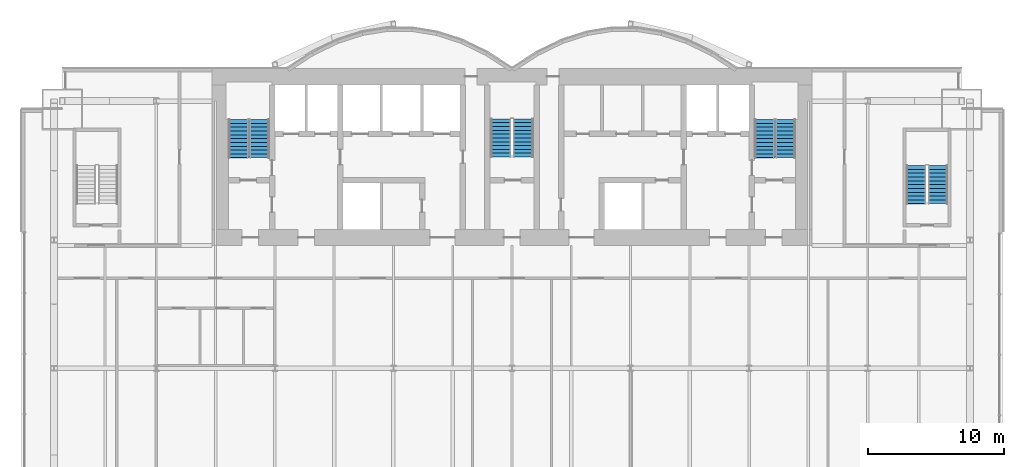
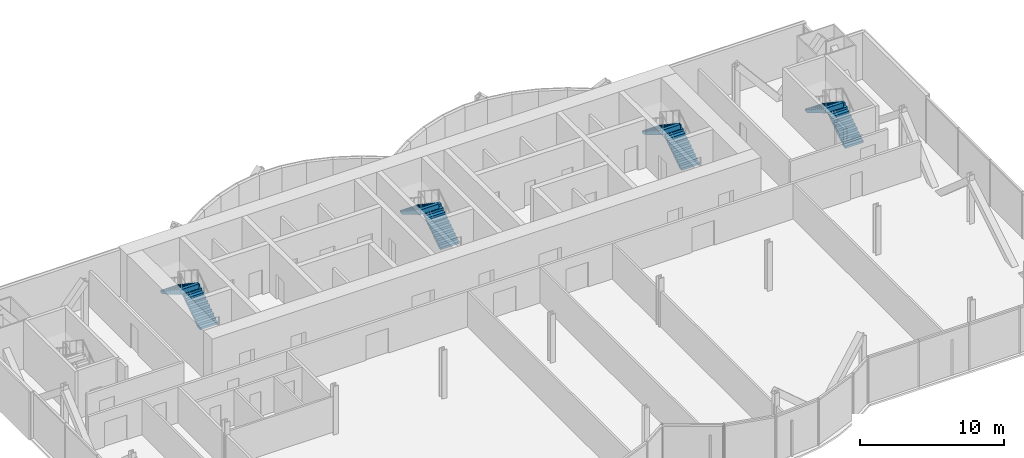
# One storey, part 18 of 21: 8 stair flights, 4 elements without a shape of their own.
"""IFC4 building model written with IfcOpenShell, lengths in metres."""

import ifcopenshell
import ifcopenshell.guid

model = None  # the IFC model being written
_history = None  # IfcOwnerHistory: only IFC2X3 demands one
_inside = {}  # id of a spatial element -> (the spatial element, [elements in it])
_under = {}  # id of a project, library or spatial element -> (it, [spatial elements below it])
_declared = {}  # id of a project -> (the project, [libraries it declares])
_typed = {}  # id of a type object -> (the type object, [elements of that type])
_made_of = {}  # id of a material, layer set ... -> (it, [elements and type objects made of it])


def new_model(schema):
    """Start an empty IFC model of exactly this schema.

    Asked for "IFC4X3", IfcOpenShell would pick the latest addendum, in which some entities
    have other attributes; the version numbers below select the first issue.
    IFC2X3 requires an IfcOwnerHistory on every rooted entity: one is made here for all.
    """
    global model, _history
    if schema == "IFC4X3":
        model = ifcopenshell.file(schema_version=(4, 3, 0, 0))
    else:
        model = ifcopenshell.file(schema=schema)
    _inside.clear()
    _under.clear()
    _declared.clear()
    _typed.clear()
    _made_of.clear()
    _history = None
    if model.schema == "IFC2X3":
        org = make("IfcOrganization", Name="unknown")
        user = make(
            "IfcPersonAndOrganization",
            ThePerson=make("IfcPerson", FamilyName="unknown"),
            TheOrganization=org,
        )
        app = make(
            "IfcApplication",
            ApplicationDeveloper=org,
            Version="unknown",
            ApplicationFullName="unknown",
            ApplicationIdentifier="unknown",
        )
        _history = make(
            "IfcOwnerHistory",
            OwningUser=user,
            OwningApplication=app,
            ChangeAction="ADDED",
            CreationDate=0,
        )
    return model


def make(cls, **values):
    """One entity of the class cls with the attributes given. An attribute that is None is left unset."""
    return model.create_entity(
        cls, **{name: value for name, value in values.items() if value is not None}
    )


def rooted(cls, **values):
    """An entity with a GlobalId (a new one), such as an element, a storey or a relation."""
    return make(cls, GlobalId=ifcopenshell.guid.new(), OwnerHistory=_history, **values)


def si_unit(unit_type, name, prefix=None):
    """IfcSIUnit, for example si_unit("LENGTHUNIT", "METRE", prefix="MILLI")."""
    return make("IfcSIUnit", UnitType=unit_type, Prefix=prefix, Name=name)


def assignment(units):
    """IfcUnitAssignment: the units of a project."""
    return None if units is None else make("IfcUnitAssignment", Units=units)


def point(xyz):
    """IfcCartesianPoint."""
    return None if xyz is None else make("IfcCartesianPoint", Coordinates=xyz)


def direction(xyz):
    """IfcDirection."""
    return None if xyz is None else make("IfcDirection", DirectionRatios=xyz)


def frame(location, z_axis=None, x_axis=None):
    """IfcAxis2Placement3D, a coordinate frame: its origin and axes. An axis left out is left unset."""
    return make(
        "IfcAxis2Placement3D",
        Location=point(location),
        Axis=direction(z_axis),
        RefDirection=direction(x_axis),
    )


def origin():
    """The frame at (0, 0, 0) with its axes left unset."""
    return frame((0.0, 0.0, 0.0))


def place(relative_to, where):
    """IfcLocalPlacement: puts the frame where relative to a parent placement (None: the world)."""
    return make(
        "IfcLocalPlacement", PlacementRelTo=relative_to, RelativePlacement=where
    )


def context(
    kind, dimensions, precision=None, world=None, true_north=None, identifier=None
):
    """IfcGeometricRepresentationContext, for example the 3D "Model" context."""
    return make(
        "IfcGeometricRepresentationContext",
        ContextIdentifier=identifier,
        ContextType=kind,
        CoordinateSpaceDimension=dimensions,
        Precision=precision,
        WorldCoordinateSystem=world,
        TrueNorth=true_north,
    )


def subcontext(parent, identifier, kind, view, scale=None):
    """IfcGeometricRepresentationSubContext, for example "Body" below "Model"."""
    return make(
        "IfcGeometricRepresentationSubContext",
        ContextIdentifier=identifier,
        ContextType=kind,
        ParentContext=parent,
        TargetScale=scale,
        TargetView=view,
    )


def project(units=None, contexts=None):
    """IfcProject with its units and contexts."""
    return rooted(
        "IfcProject",
        Name="project",
        RepresentationContexts=contexts,
        UnitsInContext=assignment(units),
    )


def spatial(cls, under=None, at=None, **own):
    """A site, building, storey or space (cls), placed at a placement, below another one or the project."""
    s = rooted(cls, ObjectPlacement=at, **own)
    if under is not None:
        _under.setdefault(under.id(), (under, []))[1].append(s)
    return s


def polyline(points):
    """IfcPolyline through the points."""
    return make("IfcPolyline", Points=[point(p) for p in points])


def outline(outer, holes=None, kind="AREA"):
    """IfcArbitraryClosedProfileDef: a profile drawn as a closed curve; with holes, ...WithVoids."""
    if holes is None:
        return make("IfcArbitraryClosedProfileDef", ProfileType=kind, OuterCurve=outer)
    return make(
        "IfcArbitraryProfileDefWithVoids",
        ProfileType=kind,
        OuterCurve=outer,
        InnerCurves=holes,
    )


def extrude(swept, where, along, depth):
    """IfcExtrudedAreaSolid: the profile swept, set in the frame where, extruded along a direction by depth."""
    return make(
        "IfcExtrudedAreaSolid",
        SweptArea=swept,
        Position=where,
        ExtrudedDirection=direction(along),
        Depth=depth,
    )


def shape(context_of_items, identifier, shape_type, items):
    """IfcShapeRepresentation: the items that make up one representation, for example the "Body"."""
    return make(
        "IfcShapeRepresentation",
        ContextOfItems=context_of_items,
        RepresentationIdentifier=identifier,
        RepresentationType=shape_type,
        Items=items,
    )


def material(Name=None, Category=None):
    """IfcMaterial."""
    return make("IfcMaterial", Name=Name, Category=Category)


def made_of(thing, what):
    """Note that an element or type object is made of a material, layer set ...; save() writes the relation."""
    if what is not None:
        _made_of.setdefault(what.id(), (what, []))[1].append(thing)
    return thing


def type_object(cls, material=None, **own):
    """A type object (cls), such as IfcWallType, which elements share."""
    return made_of(rooted(cls, **own), material)


def element(
    cls,
    number,
    at=None,
    inside=None,
    cuts=None,
    type_object=None,
    material=None,
    context=None,
    identifier="Body",
    shape_type=None,
    held_by="IfcProductDefinitionShape",
    body=None,
    shapes=None,
    **own,
):
    """One element of the class cls, such as IfcWall. Its Tag is "e" and its number.

    at: its placement. inside: the storey or other place that contains it. cuts: it is an
    opening in that element (IfcRelVoidsElement). A single representation is given by context,
    identifier, shape_type and body (its items); several are given by shapes. held_by: the class
    of the entity that holds the representations. save() writes the other relations.
    """
    e = rooted(cls, Tag="e%d" % number, ObjectPlacement=at, **own)
    if body is not None:
        shapes = [shape(context, identifier, shape_type, body)]
    if shapes is not None:
        e.Representation = make(held_by, Representations=shapes)
    if inside is not None:
        _inside.setdefault(inside.id(), (inside, []))[1].append(e)
    if cuts is not None:
        rooted(
            "IfcRelVoidsElement", RelatingBuildingElement=cuts, RelatedOpeningElement=e
        )
    if type_object is not None:
        _typed.setdefault(type_object.id(), (type_object, []))[1].append(e)
    return made_of(e, material)


def aggregate(whole, parts):
    """IfcRelAggregates: a whole, such as a stair, and the parts it consists of."""
    return rooted("IfcRelAggregates", RelatingObject=whole, RelatedObjects=parts)


def save(model, path):
    """Write the relations noted so far, then the file.

    IfcRelAggregates (storeys below a building ...), IfcRelContainedInSpatialStructure (elements
    in a storey), IfcRelDefinesByType, IfcRelAssociatesMaterial and IfcRelDeclares: one each for
    every whole, place, type object, material and project.
    """
    for whole, parts in _under.values():
        aggregate(whole, parts)
    for where, things in _inside.values():
        rooted(
            "IfcRelContainedInSpatialStructure",
            RelatedElements=things,
            RelatingStructure=where,
        )
    for kind, things in _typed.values():
        rooted("IfcRelDefinesByType", RelatedObjects=things, RelatingType=kind)
    for what, things in _made_of.values():
        rooted("IfcRelAssociatesMaterial", RelatedObjects=things, RelatingMaterial=what)
    for by, libraries in _declared.values():
        rooted("IfcRelDeclares", RelatingContext=by, RelatedDefinitions=libraries)
    model.write(path)


model = new_model("IFC4")

# Units and contexts
model_context = context("Model", 3, precision=1e-05, world=origin(), true_north=direction((0.0, 1.0)))
body_context = subcontext(model_context, "Body", "Model", "MODEL_VIEW")
ifc_project = project(units=[si_unit("LENGTHUNIT", "METRE"), si_unit("AREAUNIT", "SQUARE_METRE"), si_unit("VOLUMEUNIT", "CUBIC_METRE"), si_unit("PLANEANGLEUNIT", "RADIAN"), si_unit("MASSUNIT", "GRAM", prefix="KILO")], contexts=[model_context])

# Site, building, storey
site_placement = place(None, origin())
site = spatial("IfcSite", under=ifc_project, at=site_placement, CompositionType="ELEMENT")
building_placement = place(site_placement, origin())
building = spatial("IfcBuilding", under=site, at=building_placement, Name="Bicima Exchange Tower", CompositionType="ELEMENT")
storey_placement = place(building_placement, frame((0.0, 0.0, 114.5)))
storey = spatial("IfcBuildingStorey", under=building, at=storey_placement, Name="L24", CompositionType="ELEMENT", Elevation=114.5)

# Stair, stair flights
ifc_material = material(Name="Concrete C50/60", Category="concrete")
stair_type_1 = type_object("IfcStairType", Name="Exit stair", PredefinedType="HALF_TURN_STAIR", material=ifc_material)
stair_1_placement = place(storey_placement, origin())
stair_1 = element("IfcStair", 1, at=stair_1_placement, inside=storey, type_object=stair_type_1, Name="L24 West exit stair", PredefinedType="HALF_TURN_STAIR")
stair_flight_type_1 = type_object("IfcStairFlightType", Name="Stair flight RC", PredefinedType="STRAIGHT", material=ifc_material)
stair_flight_1_placement = place(storey_placement, frame((-18.52490234375, -6.550048828125, 0.0), z_axis=(0.0, 0.0, 1.0), x_axis=(0.0, 1.0, 0.0)))
stair_flight_1 = element("IfcStairFlight", 2, at=stair_flight_1_placement, type_object=stair_flight_type_1, Name="ST-W flight 1", NumberOfRisers=11, NumberOfTreads=10, PredefinedType="STRAIGHT", RiserHeight=0.186363636, TreadLength=0.28, context=body_context, shape_type="SweptSolid", body=[
    extrude(outline(polyline([(0.0, 0.0), (0.0, 0.186279296875), (0.280029296875, 0.186279296875), (0.280029296875, 0.372802734375), (0.56005859375, 0.372802734375), (0.56005859375, 0.55908203125), (0.840087890625, 0.55908203125), (0.840087890625, 0.745361328125), (1.1201171875, 0.745361328125), (1.1201171875, 0.931884765625), (1.39990234375, 0.931884765625), (1.39990234375, 1.1181640625), (1.679931640625, 1.1181640625), (1.679931640625, 1.304443359375), (1.9599609375, 1.304443359375), (1.9599609375, 1.490966796875), (2.239990234375, 1.490966796875), (2.239990234375, 1.67724609375), (2.52001953125, 1.67724609375), (2.52001953125, 1.863525390625), (2.800048828125, 1.863525390625), (2.800048828125, 2.050048828125), (2.800048828125, 1.68359375), (0.2705078125, 0.0), (0.0, 0.0)])), frame((0.0, 0.72509765625, 0.0), z_axis=(0.0, -1.0, 0.0), x_axis=(1.0, 0.0, 0.0)), (0.0, 0.0, 1.0), 1.449951171875),
])
stair_flight_2_placement = place(storey_placement, frame((-20.074951171875, -3.75, 2.050048828125), z_axis=(0.0, 0.0, 1.0), x_axis=(0.0, -1.0, 0.0)))
stair_flight_2 = element("IfcStairFlight", 3, at=stair_flight_2_placement, type_object=stair_flight_type_1, Name="ST-W flight 2", NumberOfRisers=11, NumberOfTreads=10, PredefinedType="STRAIGHT", RiserHeight=0.186363636, TreadLength=0.28, context=body_context, shape_type="SweptSolid", body=[
    extrude(outline(polyline([(0.0, 0.0), (0.0, 0.186279296875), (0.280029296875, 0.186279296875), (0.280029296875, 0.372802734375), (0.56005859375, 0.372802734375), (0.56005859375, 0.55908203125), (0.840087890625, 0.55908203125), (0.840087890625, 0.745361328125), (1.1201171875, 0.745361328125), (1.1201171875, 0.931884765625), (1.39990234375, 0.931884765625), (1.39990234375, 1.1181640625), (1.679931640625, 1.1181640625), (1.679931640625, 1.304443359375), (1.9599609375, 1.304443359375), (1.9599609375, 1.490966796875), (2.239990234375, 1.490966796875), (2.239990234375, 1.67724609375), (2.52001953125, 1.67724609375), (2.52001953125, 1.863525390625), (2.800048828125, 1.863525390625), (2.800048828125, 1.904052734375), (2.81494140625, 1.904052734375), (2.81494140625, 1.507080078125), (0.2705078125, 0.0), (0.0, 0.0)])), frame((0.0, 0.72509765625, 0.0), z_axis=(0.0, -1.0, 0.0), x_axis=(1.0, 0.0, 0.0)), (0.0, 0.0, 1.0), 1.449951171875),
])
aggregate(stair_1, [stair_flight_1, stair_flight_2])

stair_2_placement = place(storey_placement, origin())
stair_2 = element("IfcStair", 4, at=stair_2_placement, inside=storey, type_object=stair_type_1, Name="L24 East exit stair", PredefinedType="HALF_TURN_STAIR")
stair_flight_3_placement = place(storey_placement, frame((20.074951171875, -6.550048828125, 0.0), z_axis=(0.0, 0.0, 1.0), x_axis=(0.0, 1.0, 0.0)))
stair_flight_3 = element("IfcStairFlight", 5, at=stair_flight_3_placement, type_object=stair_flight_type_1, Name="ST-E flight 1", NumberOfRisers=11, NumberOfTreads=10, PredefinedType="STRAIGHT", RiserHeight=0.186363636, TreadLength=0.28, context=body_context, shape_type="SweptSolid", body=[
    extrude(outline(polyline([(0.0, 0.0), (0.0, 0.186279296875), (0.280029296875, 0.186279296875), (0.280029296875, 0.372802734375), (0.56005859375, 0.372802734375), (0.56005859375, 0.55908203125), (0.840087890625, 0.55908203125), (0.840087890625, 0.745361328125), (1.1201171875, 0.745361328125), (1.1201171875, 0.931884765625), (1.39990234375, 0.931884765625), (1.39990234375, 1.1181640625), (1.679931640625, 1.1181640625), (1.679931640625, 1.304443359375), (1.9599609375, 1.304443359375), (1.9599609375, 1.490966796875), (2.239990234375, 1.490966796875), (2.239990234375, 1.67724609375), (2.52001953125, 1.67724609375), (2.52001953125, 1.863525390625), (2.800048828125, 1.863525390625), (2.800048828125, 2.050048828125), (2.800048828125, 1.68359375), (0.2705078125, 0.0), (0.0, 0.0)])), frame((0.0, 0.72509765625, 0.0), z_axis=(0.0, -1.0, 0.0), x_axis=(1.0, 0.0, 0.0)), (0.0, 0.0, 1.0), 1.449951171875),
])
stair_flight_4_placement = place(storey_placement, frame((18.52490234375, -3.75, 2.050048828125), z_axis=(0.0, 0.0, 1.0), x_axis=(0.0, -1.0, 0.0)))
stair_flight_4 = element("IfcStairFlight", 6, at=stair_flight_4_placement, type_object=stair_flight_type_1, Name="ST-E flight 2", NumberOfRisers=11, NumberOfTreads=10, PredefinedType="STRAIGHT", RiserHeight=0.186363636, TreadLength=0.28, context=body_context, shape_type="SweptSolid", body=[
    extrude(outline(polyline([(0.0, 0.0), (0.0, 0.186279296875), (0.280029296875, 0.186279296875), (0.280029296875, 0.372802734375), (0.56005859375, 0.372802734375), (0.56005859375, 0.55908203125), (0.840087890625, 0.55908203125), (0.840087890625, 0.745361328125), (1.1201171875, 0.745361328125), (1.1201171875, 0.931884765625), (1.39990234375, 0.931884765625), (1.39990234375, 1.1181640625), (1.679931640625, 1.1181640625), (1.679931640625, 1.304443359375), (1.9599609375, 1.304443359375), (1.9599609375, 1.490966796875), (2.239990234375, 1.490966796875), (2.239990234375, 1.67724609375), (2.52001953125, 1.67724609375), (2.52001953125, 1.863525390625), (2.800048828125, 1.863525390625), (2.800048828125, 1.904052734375), (2.81494140625, 1.904052734375), (2.81494140625, 1.507080078125), (0.2705078125, 0.0), (0.0, 0.0)])), frame((0.0, 0.72509765625, 0.0), z_axis=(0.0, -1.0, 0.0), x_axis=(1.0, 0.0, 0.0)), (0.0, 0.0, 1.0), 1.449951171875),
])
aggregate(stair_2, [stair_flight_3, stair_flight_4])

stair_3_placement = place(storey_placement, origin())
stair_3 = element("IfcStair", 7, at=stair_3_placement, inside=storey, type_object=stair_type_1, Name="L24 East end exit stair", PredefinedType="HALF_TURN_STAIR")
stair_flight_5_placement = place(storey_placement, frame((31.25, -9.925048828125, 0.0), z_axis=(0.0, 0.0, 1.0), x_axis=(0.0, 1.0, 0.0)))
stair_flight_5 = element("IfcStairFlight", 8, at=stair_flight_5_placement, type_object=stair_flight_type_1, Name="ST-EE flight 1", NumberOfRisers=11, NumberOfTreads=10, PredefinedType="STRAIGHT", RiserHeight=0.186363636, TreadLength=0.28, context=body_context, shape_type="SweptSolid", body=[
    extrude(outline(polyline([(0.0, 0.0), (0.0, 0.186279296875), (0.280029296875, 0.186279296875), (0.280029296875, 0.372802734375), (0.56005859375, 0.372802734375), (0.56005859375, 0.55908203125), (0.840087890625, 0.55908203125), (0.840087890625, 0.745361328125), (1.1201171875, 0.745361328125), (1.1201171875, 0.931884765625), (1.39990234375, 0.931884765625), (1.39990234375, 1.1181640625), (1.679931640625, 1.1181640625), (1.679931640625, 1.304443359375), (1.9599609375, 1.304443359375), (1.9599609375, 1.490966796875), (2.239990234375, 1.490966796875), (2.239990234375, 1.67724609375), (2.52001953125, 1.67724609375), (2.52001953125, 1.863525390625), (2.800048828125, 1.863525390625), (2.800048828125, 2.050048828125), (2.800048828125, 1.68359375), (0.2705078125, 0.0), (0.0, 0.0)])), frame((0.0, 0.72509765625, 0.0), z_axis=(0.0, -1.0, 0.0), x_axis=(1.0, 0.0, 0.0)), (0.0, 0.0, 1.0), 1.449951171875),
])
stair_flight_6_placement = place(storey_placement, frame((29.64990234375, -7.125, 2.050048828125), z_axis=(0.0, 0.0, 1.0), x_axis=(0.0, -1.0, 0.0)))
stair_flight_6 = element("IfcStairFlight", 9, at=stair_flight_6_placement, type_object=stair_flight_type_1, Name="ST-EE flight 2", NumberOfRisers=11, NumberOfTreads=10, PredefinedType="STRAIGHT", RiserHeight=0.186363636, TreadLength=0.28, context=body_context, shape_type="SweptSolid", body=[
    extrude(outline(polyline([(0.0, 0.0), (0.0, 0.186279296875), (0.280029296875, 0.186279296875), (0.280029296875, 0.372802734375), (0.56005859375, 0.372802734375), (0.56005859375, 0.55908203125), (0.840087890625, 0.55908203125), (0.840087890625, 0.745361328125), (1.1201171875, 0.745361328125), (1.1201171875, 0.931884765625), (1.39990234375, 0.931884765625), (1.39990234375, 1.1181640625), (1.679931640625, 1.1181640625), (1.679931640625, 1.304443359375), (1.9599609375, 1.304443359375), (1.9599609375, 1.490966796875), (2.239990234375, 1.490966796875), (2.239990234375, 1.67724609375), (2.52001953125, 1.67724609375), (2.52001953125, 1.863525390625), (2.800048828125, 1.863525390625), (2.800048828125, 1.904052734375), (2.81494140625, 1.904052734375), (2.81494140625, 1.507080078125), (0.2705078125, 0.0), (0.0, 0.0)])), frame((0.0, 0.72509765625, 0.0), z_axis=(0.0, -1.0, 0.0), x_axis=(1.0, 0.0, 0.0)), (0.0, 0.0, 1.0), 1.449951171875),
])
aggregate(stair_3, [stair_flight_5, stair_flight_6])

stair_type_2 = type_object("IfcStairType", Name="Exit stair 1500", PredefinedType="HALF_TURN_STAIR", material=ifc_material)
stair_4_placement = place(storey_placement, origin())
stair_4 = element("IfcStair", 10, at=stair_4_placement, inside=storey, type_object=stair_type_2, Name="L24 Central exit stair", PredefinedType="HALF_TURN_STAIR")
stair_flight_type_2 = type_object("IfcStairFlightType", Name="Stair flight RC 1500", PredefinedType="STRAIGHT", material=ifc_material)
stair_flight_7_placement = place(storey_placement, frame((0.824951171875, -6.5, 0.0), z_axis=(0.0, 0.0, 1.0), x_axis=(0.0, 1.0, 0.0)))
stair_flight_7 = element("IfcStairFlight", 11, at=stair_flight_7_placement, type_object=stair_flight_type_2, Name="ST-C flight 1", NumberOfRisers=11, NumberOfTreads=10, PredefinedType="STRAIGHT", RiserHeight=0.186363636, TreadLength=0.28, context=body_context, shape_type="SweptSolid", body=[
    extrude(outline(polyline([(0.0, 0.0), (0.0, 0.186279296875), (0.280029296875, 0.186279296875), (0.280029296875, 0.372802734375), (0.56005859375, 0.372802734375), (0.56005859375, 0.55908203125), (0.840087890625, 0.55908203125), (0.840087890625, 0.745361328125), (1.1201171875, 0.745361328125), (1.1201171875, 0.931884765625), (1.39990234375, 0.931884765625), (1.39990234375, 1.1181640625), (1.679931640625, 1.1181640625), (1.679931640625, 1.304443359375), (1.9599609375, 1.304443359375), (1.9599609375, 1.490966796875), (2.239990234375, 1.490966796875), (2.239990234375, 1.67724609375), (2.52001953125, 1.67724609375), (2.52001953125, 1.863525390625), (2.800048828125, 1.863525390625), (2.800048828125, 2.050048828125), (2.800048828125, 1.68359375), (0.2705078125, 0.0), (0.0, 0.0)])), frame((0.0, 0.75, 0.0), z_axis=(0.0, -1.0, 0.0), x_axis=(1.0, 0.0, 0.0)), (0.0, 0.0, 1.0), 1.5),
])
stair_flight_8_placement = place(storey_placement, frame((-0.824951171875, -3.699951171875, 2.050048828125), z_axis=(0.0, 0.0, 1.0), x_axis=(0.0, -1.0, 0.0)))
stair_flight_8 = element("IfcStairFlight", 12, at=stair_flight_8_placement, type_object=stair_flight_type_2, Name="ST-C flight 2", NumberOfRisers=11, NumberOfTreads=10, PredefinedType="STRAIGHT", RiserHeight=0.186363636, TreadLength=0.28, context=body_context, shape_type="SweptSolid", body=[
    extrude(outline(polyline([(0.0, 0.0), (0.0, 0.186279296875), (0.280029296875, 0.186279296875), (0.280029296875, 0.372802734375), (0.56005859375, 0.372802734375), (0.56005859375, 0.55908203125), (0.840087890625, 0.55908203125), (0.840087890625, 0.745361328125), (1.1201171875, 0.745361328125), (1.1201171875, 0.931884765625), (1.39990234375, 0.931884765625), (1.39990234375, 1.1181640625), (1.679931640625, 1.1181640625), (1.679931640625, 1.304443359375), (1.9599609375, 1.304443359375), (1.9599609375, 1.490966796875), (2.239990234375, 1.490966796875), (2.239990234375, 1.67724609375), (2.52001953125, 1.67724609375), (2.52001953125, 1.863525390625), (2.800048828125, 1.863525390625), (2.800048828125, 1.904052734375), (2.81494140625, 1.904052734375), (2.81494140625, 1.507080078125), (0.2705078125, 0.0), (0.0, 0.0)])), frame((0.0, 0.75, 0.0), z_axis=(0.0, -1.0, 0.0), x_axis=(1.0, 0.0, 0.0)), (0.0, 0.0, 1.0), 1.5),
])
aggregate(stair_4, [stair_flight_7, stair_flight_8])

save(model, "model.ifc")
